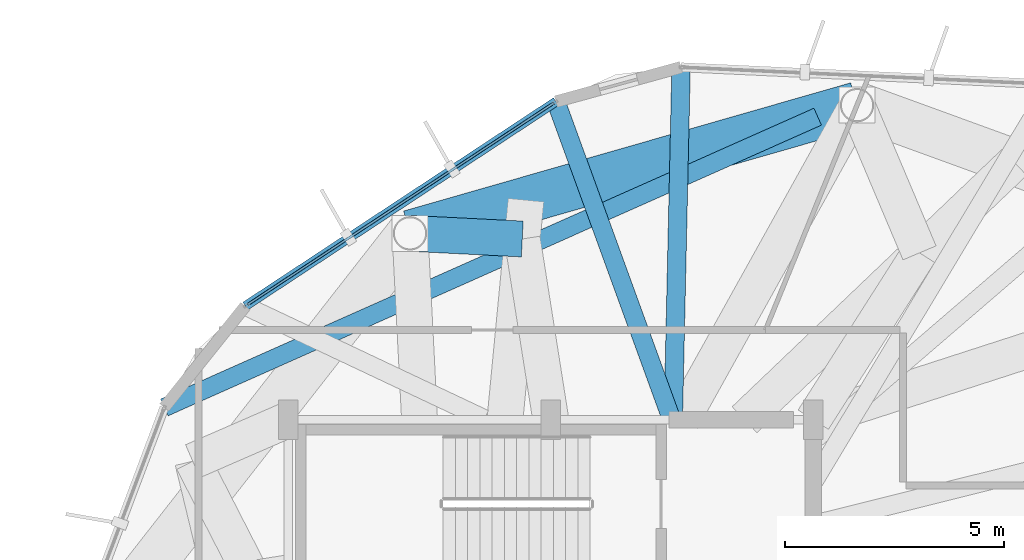
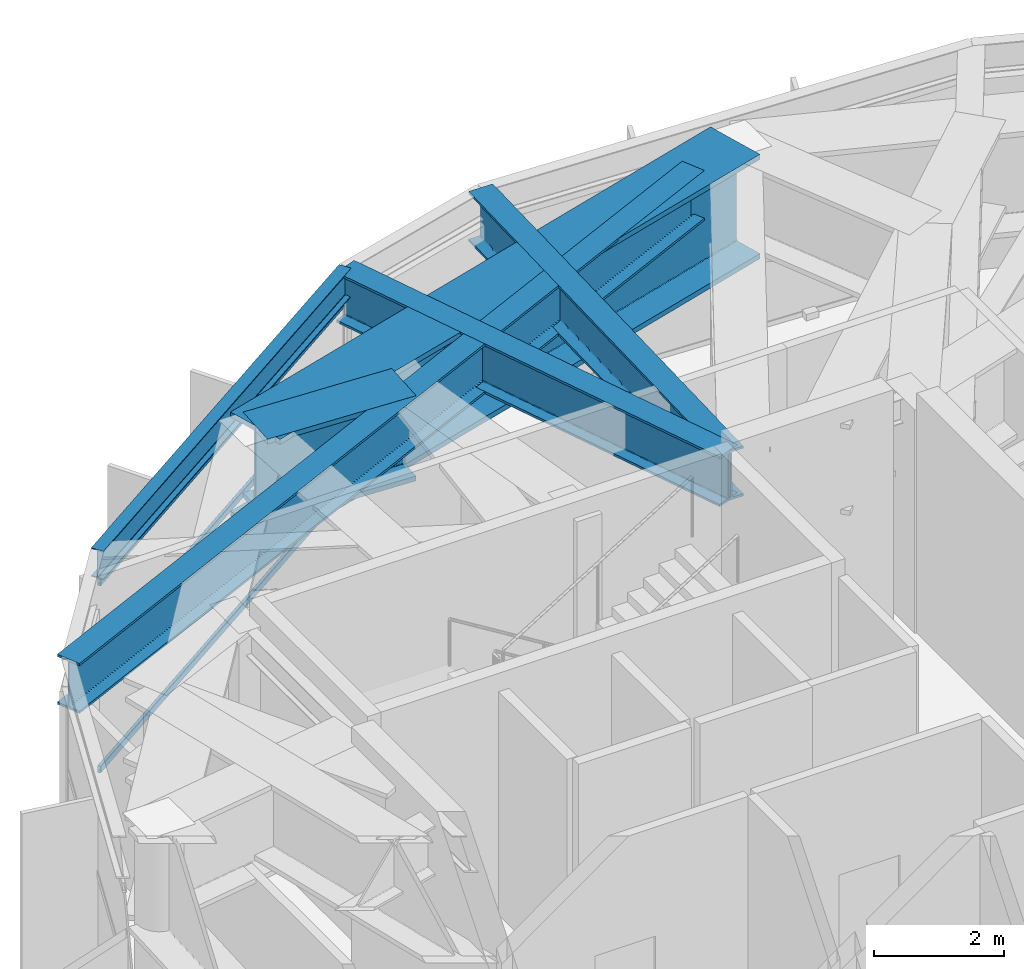
# One storey, part 18 of 27: 6 beams, 3 members, 1 element without a shape of its own.
"""IFC4 building model written with IfcOpenShell, lengths in metres."""

from ifc_helpers import new_model, si_unit, direction, frame, origin, origin_2d, place, context, subcontext, project, spatial, hollow_rectangle, i_section, extrude, material, layer, layer_set, material_profile, profile_set, type_object, element, aggregate, save


model = new_model("IFC4")

# Units and contexts
model_context = context("Model", 3, precision=1e-05, world=origin(), true_north=direction((0.0, 1.0)))
body_context = subcontext(model_context, "Body", "Model", "MODEL_VIEW")
ifc_project = project(units=[si_unit("LENGTHUNIT", "METRE"), si_unit("AREAUNIT", "SQUARE_METRE"), si_unit("VOLUMEUNIT", "CUBIC_METRE"), si_unit("PLANEANGLEUNIT", "RADIAN"), si_unit("MASSUNIT", "GRAM", prefix="KILO")], contexts=[model_context])

# Site, building, storey
site_placement = place(None, origin())
site = spatial("IfcSite", under=ifc_project, at=site_placement, CompositionType="ELEMENT")
building_placement = place(site_placement, origin())
building = spatial("IfcBuilding", under=site, at=building_placement, Name="Soratama Intermodal Tower", CompositionType="ELEMENT")
storey_placement = place(building_placement, frame((0.0, 0.0, 288.550048828125)))
storey = spatial("IfcBuildingStorey", under=building, at=storey_placement, Name="L73", CompositionType="ELEMENT", Elevation=288.550048828125)

# Beams
ifc_material_1 = material(Name="Structural steel ASTM A992 Grade 50", Category="steel")
ifc_material_profile_1 = material_profile(ifc_material_1, i_section(OverallWidth=0.423095703125, OverallDepth=0.93896484375, WebThickness=0.02392578125, FlangeThickness=0.042724609375, FilletRadius=0.02392578125, at=origin_2d()), Name="W36X302")
ifc_profile_set_1 = profile_set([ifc_material_profile_1], Name="Structural steel ASTM A992 Grade 50")
beam_type_1 = type_object("IfcBeamType", Name="BM-POD-W36X302", PredefinedType="BEAM", material=ifc_profile_set_1)
beam_1_placement = place(storey_placement, frame((41.39990234375, 35.0400390625, 3.725341796875), z_axis=(0.022195097513, 0.999753658481, 0.0), x_axis=(-0.999753658481, 0.022195097513, 0.0)))
element("IfcBeam", 1, at=beam_1_placement, inside=storey, type_object=beam_type_1, Name="BM-L73-TIE1-01", PredefinedType="BEAM", context=body_context, shape_type="SweptSolid", body=[
    extrude(i_section(OverallWidth=0.423095703125, OverallDepth=0.93896484375, WebThickness=0.02392578125, FlangeThickness=0.042724609375, FilletRadius=0.02392578125, at=origin_2d()), origin(), (0.0, 0.0, 1.0), 8.018798828125),
])
beam_2_placement = place(storey_placement, frame((41.34912109375, 35.0380859375, 3.725341796875), z_axis=(-0.341852577769, 0.939753592743, 0.0), x_axis=(-0.939753592743, -0.341852577769, 0.0)))
element("IfcBeam", 2, at=beam_2_placement, inside=storey, type_object=beam_type_1, Name="BM-L73-TIE0-02", PredefinedType="BEAM", context=body_context, shape_type="SweptSolid", body=[
    extrude(i_section(OverallWidth=0.423095703125, OverallDepth=0.93896484375, WebThickness=0.02392578125, FlangeThickness=0.042724609375, FilletRadius=0.02392578125, at=origin_2d()), origin(), (0.0, 0.0, 1.0), 7.696533203125),
])
beam_3_placement = place(storey_placement, frame((44.700927734375, 41.926025390625, 3.725341796875), z_axis=(-0.913622991221, -0.406562455119, 0.0), x_axis=(0.406562455119, -0.913622991221, 0.0)))
element("IfcBeam", 3, at=beam_3_placement, inside=storey, type_object=beam_type_1, Name="BM-L73-TIE0-03", PredefinedType="BEAM", context=body_context, shape_type="SweptSolid", body=[
    extrude(i_section(OverallWidth=0.423095703125, OverallDepth=0.93896484375, WebThickness=0.02392578125, FlangeThickness=0.042724609375, FilletRadius=0.02392578125, at=origin_2d()), origin(), (0.0, 0.0, 1.0), 16.346923828125),
])
ifc_material_2 = material(Name="Structural steel ASTM A992 Grade 50", Category="steel")
ifc_material_profile_2 = material_profile(ifc_material_2, i_section(OverallWidth=0.2099609375, OverallDepth=0.537109375, WebThickness=0.010986328125, FlangeThickness=0.017333984375, FilletRadius=0.012939453125, at=origin_2d()), Name="W21X68")
ifc_profile_set_2 = profile_set([ifc_material_profile_2], Name="Structural steel ASTM A992 Grade 50")
beam_type_2 = type_object("IfcBeamType", Name="BM-SPN-W21X68", PredefinedType="SPANDREL", material=ifc_profile_set_2)
beam_4_placement = place(storey_placement, frame((38.718017578125, 42.27099609375, 3.926513671875), z_axis=(-0.835257410057, -0.549859126454, 0.0), x_axis=(0.549859126454, -0.835257410057, 0.0)))
element("IfcBeam", 4, at=beam_4_placement, inside=storey, type_object=beam_type_2, Name="BS-L73-F02", PredefinedType="SPANDREL", context=body_context, shape_type="SweptSolid", body=[
    extrude(i_section(OverallWidth=0.2099609375, OverallDepth=0.537109375, WebThickness=0.010986328125, FlangeThickness=0.017333984375, FilletRadius=0.012939453125, at=origin_2d()), origin(), (0.0, 0.0, 1.0), 8.50048828125),
])
ifc_material_3 = material(Name="Structural steel ASTM A992 Grade 50", Category="steel")
ifc_material_profile_3 = material_profile(ifc_material_3, i_section(OverallWidth=0.820068359375, OverallDepth=1.60205078125, WebThickness=0.055908203125, FlangeThickness=0.092041015625, FilletRadius=0.02392578125, at=origin_2d()), Name="PG1600X650")
ifc_profile_set_3 = profile_set([ifc_material_profile_3], Name="Structural steel ASTM A992 Grade 50")
beam_type_3 = type_object("IfcBeamType", Name="BM-ZSTEP-PG1600", PredefinedType="BEAM", material=ifc_profile_set_3)
beam_5_placement = place(storey_placement, frame((35.382080078125, 39.259033203125, 3.39404296875), z_axis=(0.998735695488, -0.050269379916, 0.0), x_axis=(0.050269379916, 0.998735695488, 0.0)))
element("IfcBeam", 5, at=beam_5_placement, inside=storey, type_object=beam_type_3, Name="BM-L73-ZSTEP-A03", PredefinedType="BEAM", context=body_context, shape_type="SweptSolid", body=[
    extrude(i_section(OverallWidth=0.820068359375, OverallDepth=1.60205078125, WebThickness=0.055908203125, FlangeThickness=0.092041015625, FilletRadius=0.02392578125, at=origin_2d()), origin(), (0.0, 0.0, 1.0), 2.569091796875),
])
ifc_material_4 = material(Name="Structural steel ASTM A992 Grade 50", Category="steel")
ifc_material_profile_4 = material_profile(ifc_material_4, i_section(OverallWidth=1.06005859375, OverallDepth=1.9599609375, WebThickness=0.05810546875, FlangeThickness=0.095947265625, FilletRadius=0.02392578125, at=origin_2d()), Name="PG2400X900")
ifc_profile_set_4 = profile_set([ifc_material_profile_4], Name="Structural steel ASTM A992 Grade 50")
beam_type_4 = type_object("IfcBeamType", Name="BM-ZSTEP-PG2400", PredefinedType="BEAM", material=ifc_profile_set_4)
beam_6_placement = place(storey_placement, frame((45.60009765625, 42.18994140625, 3.21484375), z_axis=(-0.961238292127, -0.275718961532, 0.0), x_axis=(0.275718961532, -0.961238292127, 0.0)))
element("IfcBeam", 6, at=beam_6_placement, inside=storey, type_object=beam_type_4, Name="BM-L73-RING-03", PredefinedType="BEAM", context=body_context, shape_type="SweptSolid", body=[
    extrude(i_section(OverallWidth=1.06005859375, OverallDepth=1.9599609375, WebThickness=0.05810546875, FlangeThickness=0.095947265625, FilletRadius=0.02392578125, at=origin_2d()), origin(), (0.0, 0.0, 1.0), 10.630126953125),
])

# Curtain wall, members
ifc_material_5 = material(Name="Double-glazed aluminium curtain wall", Category="aluminium")
ifc_layer = layer(ifc_material_5, 0.159912109375)
ifc_layer_set = layer_set([ifc_layer], Name="Double-glazed aluminium curtain wall")
curtain_wall_type = type_object("IfcCurtainWallType", Name="CW-SYS-6", PredefinedType="NOTDEFINED", material=ifc_layer_set)
curtain_wall_placement = place(storey_placement, origin())
curtain_wall = element("IfcCurtainWall", 7, at=curtain_wall_placement, inside=storey, type_object=curtain_wall_type, Name="L73 Faceted Curtain Wall F02", PredefinedType="NOTDEFINED")
ifc_material_6 = material(Name="Anodised aluminium AA 6063-T6", Category="aluminium")
ifc_material_profile_5 = material_profile(ifc_material_6, hollow_rectangle(XDim=0.06005859375, YDim=0.1298828125, WallThickness=0.0048828125, InnerFilletRadius=0.0048828125, OuterFilletRadius=0.010009765625, at=origin_2d()), Name="CWT130X60X5")
ifc_profile_set_5 = profile_set([ifc_material_profile_5], Name="Anodised aluminium AA 6063-T6")
member_type = type_object("IfcMemberType", Name="TT-CWT-2", PredefinedType="USERDEFINED", material=ifc_profile_set_5)
member_1_placement = place(storey_placement, frame((38.66748046875, 42.23779296875, 0.030029296875), z_axis=(-0.835245602402, -0.549877062323, 0.0), x_axis=(0.549877062323, -0.835245602402, 0.0)))
member_1 = element("IfcMember", 8, at=member_1_placement, type_object=member_type, Name="CW-6 transom 1.1", ObjectType="TRANSOM", PredefinedType="USERDEFINED", context=body_context, shape_type="SweptSolid", body=[
    extrude(hollow_rectangle(XDim=0.06005859375, YDim=0.1298828125, WallThickness=0.0048828125, InnerFilletRadius=0.0048828125, OuterFilletRadius=0.010009765625, at=origin_2d()), origin(), (0.0, 0.0, 1.0), 8.3798828125),
])
member_2_placement = place(storey_placement, frame((38.66748046875, 42.23779296875, 2.14990234375), z_axis=(-0.835245602402, -0.549877062323, 0.0), x_axis=(0.549877062323, -0.835245602402, 0.0)))
member_2 = element("IfcMember", 9, at=member_2_placement, type_object=member_type, Name="CW-6 transom 1.2", ObjectType="TRANSOM", PredefinedType="USERDEFINED", context=body_context, shape_type="SweptSolid", body=[
    extrude(hollow_rectangle(XDim=0.06005859375, YDim=0.1298828125, WallThickness=0.0048828125, InnerFilletRadius=0.0048828125, OuterFilletRadius=0.010009765625, at=origin_2d()), origin(), (0.0, 0.0, 1.0), 8.3798828125),
])
member_3_placement = place(storey_placement, frame((38.66748046875, 42.23779296875, 3.5439453125), z_axis=(-0.835245602402, -0.549877062323, 0.0), x_axis=(0.549877062323, -0.835245602402, 0.0)))
member_3 = element("IfcMember", 10, at=member_3_placement, type_object=member_type, Name="CW-6 transom 1.3", ObjectType="TRANSOM", PredefinedType="USERDEFINED", context=body_context, shape_type="SweptSolid", body=[
    extrude(hollow_rectangle(XDim=0.06005859375, YDim=0.1298828125, WallThickness=0.0048828125, InnerFilletRadius=0.0048828125, OuterFilletRadius=0.010009765625, at=origin_2d()), origin(), (0.0, 0.0, 1.0), 8.3798828125),
])
aggregate(curtain_wall, [member_1, member_2, member_3])

save(model, "model.ifc")
